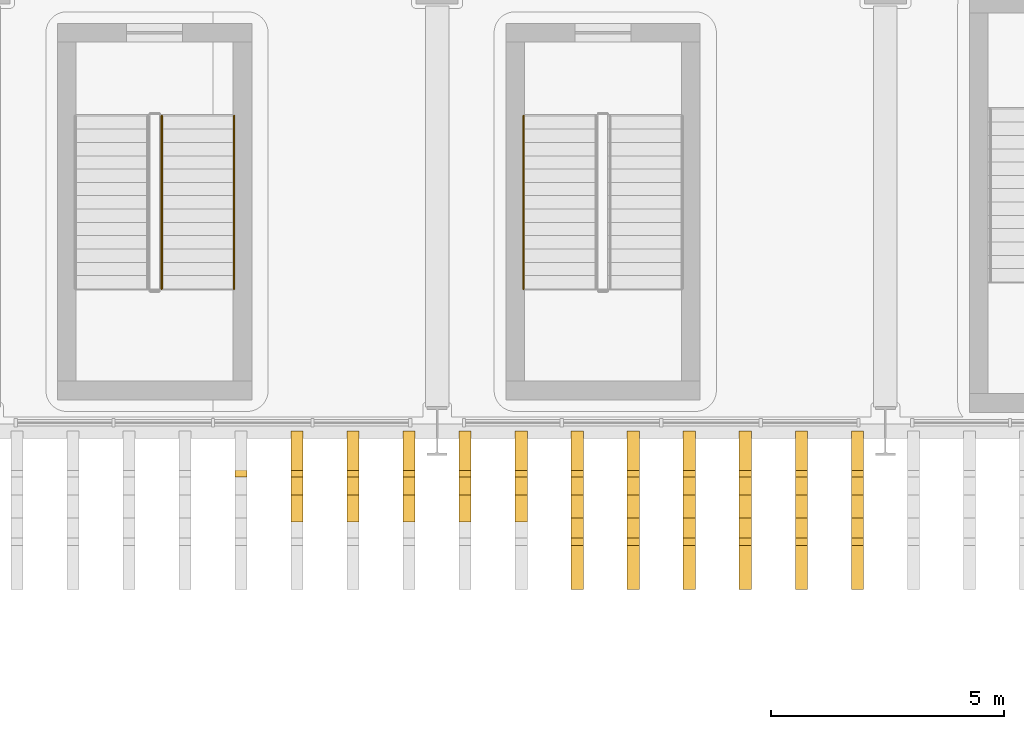
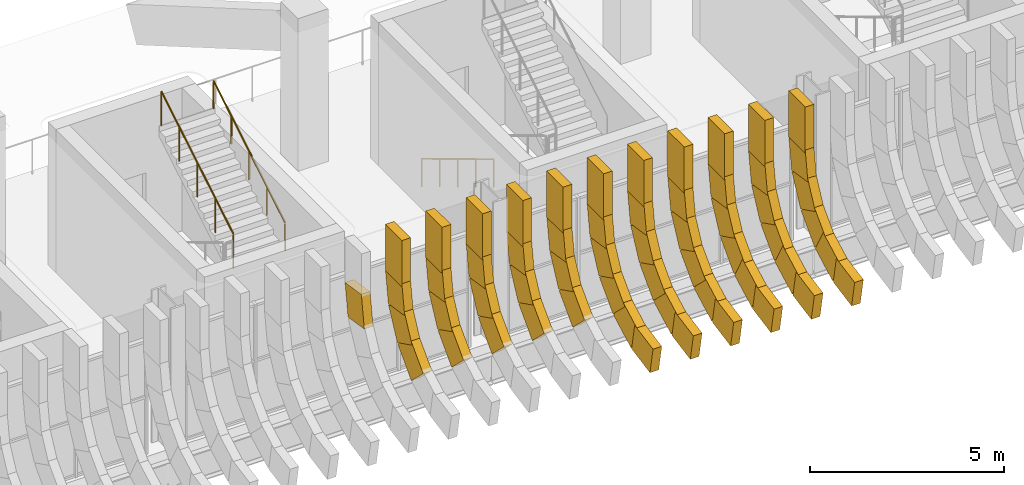
# One storey, part 73 of 100: 57 coverings, 3 railings.
"""IFC4 building model written with IfcOpenShell, lengths in metres."""

from ifc_helpers import new_model, si_unit, direction, frame, origin, origin_2d, place, context, subcontext, project, spatial, rectangle, circle, extrude, material, material_profile, profile_set, type_object, element, save


model = new_model("IFC4")

# Units and contexts
model_context = context("Model", 3, precision=1e-05, world=origin(), true_north=direction((0.0, 1.0)))
body_context = subcontext(model_context, "Body", "Model", "MODEL_VIEW")
ifc_project = project(units=[si_unit("LENGTHUNIT", "METRE"), si_unit("AREAUNIT", "SQUARE_METRE"), si_unit("VOLUMEUNIT", "CUBIC_METRE"), si_unit("PLANEANGLEUNIT", "RADIAN"), si_unit("MASSUNIT", "GRAM", prefix="KILO")], contexts=[model_context])

# Site, building, storey
site_placement = place(None, origin())
site = spatial("IfcSite", under=ifc_project, at=site_placement, CompositionType="ELEMENT")
building_placement = place(site_placement, origin())
building = spatial("IfcBuilding", under=site, at=building_placement, Name="Caelomonte Colonnade Arena", CompositionType="ELEMENT")
storey_placement = place(building_placement, origin())
storey = spatial("IfcBuildingStorey", under=building, at=storey_placement, Name="L00", CompositionType="ELEMENT", Elevation=0.0)

# Coverings
ifc_material_1 = material(Name="Precast travertine cladding", Category="masonry")
ifc_material_profile = material_profile(ifc_material_1, rectangle(XDim=0.260009765625, YDim=0.85009765625, at=origin_2d()), Name="FIN260X850")
ifc_profile_set = profile_set([ifc_material_profile], Name="Precast travertine cladding")
covering_type = type_object("IfcCoveringType", Name="ENV-FN-SKIRT", PredefinedType="CLADDING", material=ifc_profile_set)
covering_1_placement = place(storey_placement, frame((111.0, 18.785888671875, 3.474609375), z_axis=(0.0, -0.153076342973, -0.988214366027), x_axis=(-1.0, 0.0, 0.0)))
element("IfcCovering", 1, at=covering_1_placement, inside=storey, type_object=covering_type, Name="V1 L00 splayed classical fin skirt chord 1 (266)", PredefinedType="CLADDING", context=body_context, shape_type="SweptSolid", body=[
    extrude(rectangle(XDim=0.260009765625, YDim=0.85009765625, at=origin_2d()), origin(), (0.0, 0.0, 1.0), 1.008056640625),
])
covering_2_placement = place(storey_placement, frame((112.199951171875, 18.779052734375, 3.360107421875), z_axis=(0.0, 0.0, 1.0), x_axis=(-1.0, 0.0, 0.0)))
element("IfcCovering", 2, at=covering_2_placement, inside=storey, type_object=covering_type, Name="V1 L00 upper classical fin stem 267", PredefinedType="CLADDING", context=body_context, shape_type="SweptSolid", body=[
    extrude(rectangle(XDim=0.260009765625, YDim=0.85009765625, at=origin_2d()), origin(), (0.0, 0.0, 1.0), 1.4599609375),
])
for number, where, z_axis, x_axis, name in (
    (3, (112.199951171875, 18.785888671875, 3.474609375), (0.0, -0.153076342973, -0.988214366027), (-1.0, 0.0, 0.0), "V1 L00 splayed classical fin skirt chord 1 (267)"),
    (4, (112.199951171875, 18.65869140625, 2.563232421875), (0.0, -0.444692864571, -0.89568312265), (-1.0, 0.0, 0.0), "V1 L00 splayed classical fin skirt chord 2 (267)"),
    (5, (112.199951171875, 18.26171875, 1.733154296875), (0.0, -0.694646381209, -0.71935137803), (-1.0, 0.0, 0.0), "V1 L00 splayed classical fin skirt chord 3 (267)"),
):
    element("IfcCovering", number, at=place(storey_placement, frame(where, z_axis=z_axis, x_axis=x_axis)), inside=storey, type_object=covering_type, Name=name, PredefinedType="CLADDING", context=body_context, shape_type="SweptSolid", body=[
        extrude(rectangle(XDim=0.260009765625, YDim=0.85009765625, at=origin_2d()), origin(), (0.0, 0.0, 1.0), 1.008056640625),
    ])
covering_3_placement = place(storey_placement, frame((113.39990234375, 18.779052734375, 3.360107421875), z_axis=(0.0, 0.0, 1.0), x_axis=(-1.0, 0.0, 0.0)))
element("IfcCovering", 6, at=covering_3_placement, inside=storey, type_object=covering_type, Name="V1 L00 upper classical fin stem 268", PredefinedType="CLADDING", context=body_context, shape_type="SweptSolid", body=[
    extrude(rectangle(XDim=0.260009765625, YDim=0.85009765625, at=origin_2d()), origin(), (0.0, 0.0, 1.0), 1.4599609375),
])
for number, where, z_axis, x_axis, name in (
    (7, (113.39990234375, 18.785888671875, 3.474609375), (0.0, -0.153076342973, -0.988214366027), (-1.0, 0.0, 0.0), "V1 L00 splayed classical fin skirt chord 1 (268)"),
    (8, (113.39990234375, 18.65869140625, 2.563232421875), (0.0, -0.444692864571, -0.89568312265), (-1.0, 0.0, 0.0), "V1 L00 splayed classical fin skirt chord 2 (268)"),
    (9, (113.39990234375, 18.26171875, 1.733154296875), (0.0, -0.694646381209, -0.71935137803), (-1.0, 0.0, 0.0), "V1 L00 splayed classical fin skirt chord 3 (268)"),
):
    element("IfcCovering", number, at=place(storey_placement, frame(where, z_axis=z_axis, x_axis=x_axis)), inside=storey, type_object=covering_type, Name=name, PredefinedType="CLADDING", context=body_context, shape_type="SweptSolid", body=[
        extrude(rectangle(XDim=0.260009765625, YDim=0.85009765625, at=origin_2d()), origin(), (0.0, 0.0, 1.0), 1.008056640625),
    ])
covering_4_placement = place(storey_placement, frame((114.60009765625, 18.779052734375, 3.360107421875), z_axis=(0.0, 0.0, 1.0), x_axis=(-1.0, 0.0, 0.0)))
element("IfcCovering", 10, at=covering_4_placement, inside=storey, type_object=covering_type, Name="V1 L00 upper classical fin stem 269", PredefinedType="CLADDING", context=body_context, shape_type="SweptSolid", body=[
    extrude(rectangle(XDim=0.260009765625, YDim=0.85009765625, at=origin_2d()), origin(), (0.0, 0.0, 1.0), 1.4599609375),
])
for number, where, z_axis, x_axis, name in (
    (11, (114.60009765625, 18.785888671875, 3.474609375), (0.0, -0.153076342973, -0.988214366027), (-1.0, 0.0, 0.0), "V1 L00 splayed classical fin skirt chord 1 (269)"),
    (12, (114.60009765625, 18.65869140625, 2.563232421875), (0.0, -0.444692864571, -0.89568312265), (-1.0, 0.0, 0.0), "V1 L00 splayed classical fin skirt chord 2 (269)"),
    (13, (114.60009765625, 18.26171875, 1.733154296875), (0.0, -0.694646381209, -0.71935137803), (-1.0, 0.0, 0.0), "V1 L00 splayed classical fin skirt chord 3 (269)"),
):
    element("IfcCovering", number, at=place(storey_placement, frame(where, z_axis=z_axis, x_axis=x_axis)), inside=storey, type_object=covering_type, Name=name, PredefinedType="CLADDING", context=body_context, shape_type="SweptSolid", body=[
        extrude(rectangle(XDim=0.260009765625, YDim=0.85009765625, at=origin_2d()), origin(), (0.0, 0.0, 1.0), 1.008056640625),
    ])
covering_5_placement = place(storey_placement, frame((115.800048828125, 18.779052734375, 3.360107421875), z_axis=(0.0, 0.0, 1.0), x_axis=(-1.0, 0.0, 0.0)))
element("IfcCovering", 14, at=covering_5_placement, inside=storey, type_object=covering_type, Name="V1 L00 upper classical fin stem 270", PredefinedType="CLADDING", context=body_context, shape_type="SweptSolid", body=[
    extrude(rectangle(XDim=0.260009765625, YDim=0.85009765625, at=origin_2d()), origin(), (0.0, 0.0, 1.0), 1.4599609375),
])
for number, where, z_axis, x_axis, name in (
    (15, (115.800048828125, 18.785888671875, 3.474609375), (0.0, -0.153076342973, -0.988214366027), (-1.0, 0.0, 0.0), "V1 L00 splayed classical fin skirt chord 1 (270)"),
    (16, (115.800048828125, 18.65869140625, 2.563232421875), (0.0, -0.444692864571, -0.89568312265), (-1.0, 0.0, 0.0), "V1 L00 splayed classical fin skirt chord 2 (270)"),
    (17, (115.800048828125, 18.26171875, 1.733154296875), (0.0, -0.694646381209, -0.71935137803), (-1.0, 0.0, 0.0), "V1 L00 splayed classical fin skirt chord 3 (270)"),
):
    element("IfcCovering", number, at=place(storey_placement, frame(where, z_axis=z_axis, x_axis=x_axis)), inside=storey, type_object=covering_type, Name=name, PredefinedType="CLADDING", context=body_context, shape_type="SweptSolid", body=[
        extrude(rectangle(XDim=0.260009765625, YDim=0.85009765625, at=origin_2d()), origin(), (0.0, 0.0, 1.0), 1.008056640625),
    ])
covering_6_placement = place(storey_placement, frame((117.0, 18.779052734375, 3.360107421875), z_axis=(0.0, 0.0, 1.0), x_axis=(-1.0, 0.0, 0.0)))
element("IfcCovering", 18, at=covering_6_placement, inside=storey, type_object=covering_type, Name="V1 L00 upper classical fin stem 271", PredefinedType="CLADDING", context=body_context, shape_type="SweptSolid", body=[
    extrude(rectangle(XDim=0.260009765625, YDim=0.85009765625, at=origin_2d()), origin(), (0.0, 0.0, 1.0), 1.4599609375),
])
for number, where, z_axis, x_axis, name in (
    (19, (117.0, 18.785888671875, 3.474609375), (0.0, -0.153076342973, -0.988214366027), (-1.0, 0.0, 0.0), "V1 L00 splayed classical fin skirt chord 1 (271)"),
    (20, (117.0, 18.65869140625, 2.563232421875), (0.0, -0.444692864571, -0.89568312265), (-1.0, 0.0, 0.0), "V1 L00 splayed classical fin skirt chord 2 (271)"),
    (21, (117.0, 18.26171875, 1.733154296875), (0.0, -0.694646381209, -0.71935137803), (-1.0, 0.0, 0.0), "V1 L00 splayed classical fin skirt chord 3 (271)"),
):
    element("IfcCovering", number, at=place(storey_placement, frame(where, z_axis=z_axis, x_axis=x_axis)), inside=storey, type_object=covering_type, Name=name, PredefinedType="CLADDING", context=body_context, shape_type="SweptSolid", body=[
        extrude(rectangle(XDim=0.260009765625, YDim=0.85009765625, at=origin_2d()), origin(), (0.0, 0.0, 1.0), 1.008056640625),
    ])
covering_7_placement = place(storey_placement, frame((118.199951171875, 18.779052734375, 3.360107421875), z_axis=(0.0, 0.0, 1.0), x_axis=(-1.0, 0.0, 0.0)))
element("IfcCovering", 22, at=covering_7_placement, inside=storey, type_object=covering_type, Name="V1 L00 upper classical fin stem 272", PredefinedType="CLADDING", context=body_context, shape_type="SweptSolid", body=[
    extrude(rectangle(XDim=0.260009765625, YDim=0.85009765625, at=origin_2d()), origin(), (0.0, 0.0, 1.0), 1.4599609375),
])
for number, where, z_axis, x_axis, name in (
    (23, (118.199951171875, 18.785888671875, 3.474609375), (0.0, -0.153076342973, -0.988214366027), (-1.0, 0.0, 0.0), "V1 L00 splayed classical fin skirt chord 1 (272)"),
    (24, (118.199951171875, 18.65869140625, 2.563232421875), (0.0, -0.444692864571, -0.89568312265), (-1.0, 0.0, 0.0), "V1 L00 splayed classical fin skirt chord 2 (272)"),
    (25, (118.199951171875, 18.26171875, 1.733154296875), (0.0, -0.694646381209, -0.71935137803), (-1.0, 0.0, 0.0), "V1 L00 splayed classical fin skirt chord 3 (272)"),
):
    element("IfcCovering", number, at=place(storey_placement, frame(where, z_axis=z_axis, x_axis=x_axis)), inside=storey, type_object=covering_type, Name=name, PredefinedType="CLADDING", context=body_context, shape_type="SweptSolid", body=[
        extrude(rectangle(XDim=0.260009765625, YDim=0.85009765625, at=origin_2d()), origin(), (0.0, 0.0, 1.0), 1.008056640625),
    ])
covering_8_placement = place(storey_placement, frame((118.199951171875, 17.63232421875, 1.061767578125), z_axis=(0.0, -0.879676382338, -0.475572772935), x_axis=(-1.0, 0.0, 0.0)))
element("IfcCovering", 26, at=covering_8_placement, inside=storey, type_object=covering_type, Name="V1 L00 splayed classical fin skirt chord 4 (272)", PredefinedType="CLADDING", context=body_context, shape_type="SweptSolid", body=[
    extrude(rectangle(XDim=0.260009765625, YDim=0.85009765625, at=origin_2d()), origin(), (0.0, 0.0, 1.0), 1.0078125),
])
covering_9_placement = place(storey_placement, frame((118.199951171875, 16.82958984375, 0.6123046875), z_axis=(0.0, -0.982287485173, -0.187380085582), x_axis=(-1.0, 0.0, 0.0)))
element("IfcCovering", 27, at=covering_9_placement, inside=storey, type_object=covering_type, Name="V1 L00 splayed classical fin skirt chord 5 (272)", PredefinedType="CLADDING", context=body_context, shape_type="SweptSolid", body=[
    extrude(rectangle(XDim=0.260009765625, YDim=0.85009765625, at=origin_2d()), origin(), (0.0, 0.0, 1.0), 0.962890625),
])
covering_10_placement = place(storey_placement, frame((119.39990234375, 18.779052734375, 3.360107421875), z_axis=(0.0, 0.0, 1.0), x_axis=(-1.0, 0.0, 0.0)))
element("IfcCovering", 28, at=covering_10_placement, inside=storey, type_object=covering_type, Name="V1 L00 upper classical fin stem 273", PredefinedType="CLADDING", context=body_context, shape_type="SweptSolid", body=[
    extrude(rectangle(XDim=0.260009765625, YDim=0.85009765625, at=origin_2d()), origin(), (0.0, 0.0, 1.0), 1.4599609375),
])
for number, where, z_axis, x_axis, name in (
    (29, (119.39990234375, 18.785888671875, 3.474609375), (0.0, -0.153076342973, -0.988214366027), (-1.0, 0.0, 0.0), "V1 L00 splayed classical fin skirt chord 1 (273)"),
    (30, (119.39990234375, 18.65869140625, 2.563232421875), (0.0, -0.444692864571, -0.89568312265), (-1.0, 0.0, 0.0), "V1 L00 splayed classical fin skirt chord 2 (273)"),
    (31, (119.39990234375, 18.26171875, 1.733154296875), (0.0, -0.694646381209, -0.71935137803), (-1.0, 0.0, 0.0), "V1 L00 splayed classical fin skirt chord 3 (273)"),
):
    element("IfcCovering", number, at=place(storey_placement, frame(where, z_axis=z_axis, x_axis=x_axis)), inside=storey, type_object=covering_type, Name=name, PredefinedType="CLADDING", context=body_context, shape_type="SweptSolid", body=[
        extrude(rectangle(XDim=0.260009765625, YDim=0.85009765625, at=origin_2d()), origin(), (0.0, 0.0, 1.0), 1.008056640625),
    ])
covering_11_placement = place(storey_placement, frame((119.39990234375, 17.63232421875, 1.061767578125), z_axis=(0.0, -0.879676382338, -0.475572772935), x_axis=(-1.0, 0.0, 0.0)))
element("IfcCovering", 32, at=covering_11_placement, inside=storey, type_object=covering_type, Name="V1 L00 splayed classical fin skirt chord 4 (273)", PredefinedType="CLADDING", context=body_context, shape_type="SweptSolid", body=[
    extrude(rectangle(XDim=0.260009765625, YDim=0.85009765625, at=origin_2d()), origin(), (0.0, 0.0, 1.0), 1.0078125),
])
covering_12_placement = place(storey_placement, frame((119.39990234375, 16.82958984375, 0.6123046875), z_axis=(0.0, -0.982287485173, -0.187380085582), x_axis=(-1.0, 0.0, 0.0)))
element("IfcCovering", 33, at=covering_12_placement, inside=storey, type_object=covering_type, Name="V1 L00 splayed classical fin skirt chord 5 (273)", PredefinedType="CLADDING", context=body_context, shape_type="SweptSolid", body=[
    extrude(rectangle(XDim=0.260009765625, YDim=0.85009765625, at=origin_2d()), origin(), (0.0, 0.0, 1.0), 0.962890625),
])
covering_13_placement = place(storey_placement, frame((120.60009765625, 18.779052734375, 3.360107421875), z_axis=(0.0, 0.0, 1.0), x_axis=(-1.0, 0.0, 0.0)))
element("IfcCovering", 34, at=covering_13_placement, inside=storey, type_object=covering_type, Name="V1 L00 upper classical fin stem 274", PredefinedType="CLADDING", context=body_context, shape_type="SweptSolid", body=[
    extrude(rectangle(XDim=0.260009765625, YDim=0.85009765625, at=origin_2d()), origin(), (0.0, 0.0, 1.0), 1.4599609375),
])
for number, where, z_axis, x_axis, name in (
    (35, (120.60009765625, 18.785888671875, 3.474609375), (0.0, -0.153076342973, -0.988214366027), (-1.0, 0.0, 0.0), "V1 L00 splayed classical fin skirt chord 1 (274)"),
    (36, (120.60009765625, 18.65869140625, 2.563232421875), (0.0, -0.444692864571, -0.89568312265), (-1.0, 0.0, 0.0), "V1 L00 splayed classical fin skirt chord 2 (274)"),
    (37, (120.60009765625, 18.26171875, 1.733154296875), (0.0, -0.694646381209, -0.71935137803), (-1.0, 0.0, 0.0), "V1 L00 splayed classical fin skirt chord 3 (274)"),
):
    element("IfcCovering", number, at=place(storey_placement, frame(where, z_axis=z_axis, x_axis=x_axis)), inside=storey, type_object=covering_type, Name=name, PredefinedType="CLADDING", context=body_context, shape_type="SweptSolid", body=[
        extrude(rectangle(XDim=0.260009765625, YDim=0.85009765625, at=origin_2d()), origin(), (0.0, 0.0, 1.0), 1.008056640625),
    ])
covering_14_placement = place(storey_placement, frame((120.60009765625, 17.63232421875, 1.061767578125), z_axis=(0.0, -0.879676382338, -0.475572772935), x_axis=(-1.0, 0.0, 0.0)))
element("IfcCovering", 38, at=covering_14_placement, inside=storey, type_object=covering_type, Name="V1 L00 splayed classical fin skirt chord 4 (274)", PredefinedType="CLADDING", context=body_context, shape_type="SweptSolid", body=[
    extrude(rectangle(XDim=0.260009765625, YDim=0.85009765625, at=origin_2d()), origin(), (0.0, 0.0, 1.0), 1.0078125),
])
covering_15_placement = place(storey_placement, frame((120.60009765625, 16.82958984375, 0.6123046875), z_axis=(0.0, -0.982287485173, -0.187380085582), x_axis=(-1.0, 0.0, 0.0)))
element("IfcCovering", 39, at=covering_15_placement, inside=storey, type_object=covering_type, Name="V1 L00 splayed classical fin skirt chord 5 (274)", PredefinedType="CLADDING", context=body_context, shape_type="SweptSolid", body=[
    extrude(rectangle(XDim=0.260009765625, YDim=0.85009765625, at=origin_2d()), origin(), (0.0, 0.0, 1.0), 0.962890625),
])
covering_16_placement = place(storey_placement, frame((121.800048828125, 18.779052734375, 3.360107421875), z_axis=(0.0, 0.0, 1.0), x_axis=(-1.0, 0.0, 0.0)))
element("IfcCovering", 40, at=covering_16_placement, inside=storey, type_object=covering_type, Name="V1 L00 upper classical fin stem 275", PredefinedType="CLADDING", context=body_context, shape_type="SweptSolid", body=[
    extrude(rectangle(XDim=0.260009765625, YDim=0.85009765625, at=origin_2d()), origin(), (0.0, 0.0, 1.0), 1.4599609375),
])
for number, where, z_axis, x_axis, name in (
    (41, (121.800048828125, 18.785888671875, 3.474609375), (0.0, -0.153076342973, -0.988214366027), (-1.0, 0.0, 0.0), "V1 L00 splayed classical fin skirt chord 1 (275)"),
    (42, (121.800048828125, 18.65869140625, 2.563232421875), (0.0, -0.444692864571, -0.89568312265), (-1.0, 0.0, 0.0), "V1 L00 splayed classical fin skirt chord 2 (275)"),
    (43, (121.800048828125, 18.26171875, 1.733154296875), (0.0, -0.694646381209, -0.71935137803), (-1.0, 0.0, 0.0), "V1 L00 splayed classical fin skirt chord 3 (275)"),
):
    element("IfcCovering", number, at=place(storey_placement, frame(where, z_axis=z_axis, x_axis=x_axis)), inside=storey, type_object=covering_type, Name=name, PredefinedType="CLADDING", context=body_context, shape_type="SweptSolid", body=[
        extrude(rectangle(XDim=0.260009765625, YDim=0.85009765625, at=origin_2d()), origin(), (0.0, 0.0, 1.0), 1.008056640625),
    ])
covering_17_placement = place(storey_placement, frame((121.800048828125, 17.63232421875, 1.061767578125), z_axis=(0.0, -0.879676382338, -0.475572772935), x_axis=(-1.0, 0.0, 0.0)))
element("IfcCovering", 44, at=covering_17_placement, inside=storey, type_object=covering_type, Name="V1 L00 splayed classical fin skirt chord 4 (275)", PredefinedType="CLADDING", context=body_context, shape_type="SweptSolid", body=[
    extrude(rectangle(XDim=0.260009765625, YDim=0.85009765625, at=origin_2d()), origin(), (0.0, 0.0, 1.0), 1.0078125),
])
covering_18_placement = place(storey_placement, frame((121.800048828125, 16.82958984375, 0.6123046875), z_axis=(0.0, -0.982287485173, -0.187380085582), x_axis=(-1.0, 0.0, 0.0)))
element("IfcCovering", 45, at=covering_18_placement, inside=storey, type_object=covering_type, Name="V1 L00 splayed classical fin skirt chord 5 (275)", PredefinedType="CLADDING", context=body_context, shape_type="SweptSolid", body=[
    extrude(rectangle(XDim=0.260009765625, YDim=0.85009765625, at=origin_2d()), origin(), (0.0, 0.0, 1.0), 0.962890625),
])
covering_19_placement = place(storey_placement, frame((123.0, 18.779052734375, 3.360107421875), z_axis=(0.0, 0.0, 1.0), x_axis=(-1.0, 0.0, 0.0)))
element("IfcCovering", 46, at=covering_19_placement, inside=storey, type_object=covering_type, Name="V1 L00 upper classical fin stem 276", PredefinedType="CLADDING", context=body_context, shape_type="SweptSolid", body=[
    extrude(rectangle(XDim=0.260009765625, YDim=0.85009765625, at=origin_2d()), origin(), (0.0, 0.0, 1.0), 1.4599609375),
])
for number, where, z_axis, x_axis, name in (
    (47, (123.0, 18.785888671875, 3.474609375), (0.0, -0.153076342973, -0.988214366027), (-1.0, 0.0, 0.0), "V1 L00 splayed classical fin skirt chord 1 (276)"),
    (48, (123.0, 18.65869140625, 2.563232421875), (0.0, -0.444692864571, -0.89568312265), (-1.0, 0.0, 0.0), "V1 L00 splayed classical fin skirt chord 2 (276)"),
    (49, (123.0, 18.26171875, 1.733154296875), (0.0, -0.694646381209, -0.71935137803), (-1.0, 0.0, 0.0), "V1 L00 splayed classical fin skirt chord 3 (276)"),
):
    element("IfcCovering", number, at=place(storey_placement, frame(where, z_axis=z_axis, x_axis=x_axis)), inside=storey, type_object=covering_type, Name=name, PredefinedType="CLADDING", context=body_context, shape_type="SweptSolid", body=[
        extrude(rectangle(XDim=0.260009765625, YDim=0.85009765625, at=origin_2d()), origin(), (0.0, 0.0, 1.0), 1.008056640625),
    ])
covering_20_placement = place(storey_placement, frame((123.0, 17.63232421875, 1.061767578125), z_axis=(0.0, -0.879676382338, -0.475572772935), x_axis=(-1.0, 0.0, 0.0)))
element("IfcCovering", 50, at=covering_20_placement, inside=storey, type_object=covering_type, Name="V1 L00 splayed classical fin skirt chord 4 (276)", PredefinedType="CLADDING", context=body_context, shape_type="SweptSolid", body=[
    extrude(rectangle(XDim=0.260009765625, YDim=0.85009765625, at=origin_2d()), origin(), (0.0, 0.0, 1.0), 1.0078125),
])
covering_21_placement = place(storey_placement, frame((123.0, 16.82958984375, 0.6123046875), z_axis=(0.0, -0.982287485173, -0.187380085582), x_axis=(-1.0, 0.0, 0.0)))
element("IfcCovering", 51, at=covering_21_placement, inside=storey, type_object=covering_type, Name="V1 L00 splayed classical fin skirt chord 5 (276)", PredefinedType="CLADDING", context=body_context, shape_type="SweptSolid", body=[
    extrude(rectangle(XDim=0.260009765625, YDim=0.85009765625, at=origin_2d()), origin(), (0.0, 0.0, 1.0), 0.962890625),
])
covering_22_placement = place(storey_placement, frame((124.199951171875, 18.779052734375, 3.360107421875), z_axis=(0.0, 0.0, 1.0), x_axis=(-1.0, 0.0, 0.0)))
element("IfcCovering", 52, at=covering_22_placement, inside=storey, type_object=covering_type, Name="V1 L00 upper classical fin stem 277", PredefinedType="CLADDING", context=body_context, shape_type="SweptSolid", body=[
    extrude(rectangle(XDim=0.260009765625, YDim=0.85009765625, at=origin_2d()), origin(), (0.0, 0.0, 1.0), 1.4599609375),
])
for number, where, z_axis, x_axis, name in (
    (53, (124.199951171875, 18.785888671875, 3.474609375), (0.0, -0.153076342973, -0.988214366027), (-1.0, 0.0, 0.0), "V1 L00 splayed classical fin skirt chord 1 (277)"),
    (54, (124.199951171875, 18.65869140625, 2.563232421875), (0.0, -0.444692864571, -0.89568312265), (-1.0, 0.0, 0.0), "V1 L00 splayed classical fin skirt chord 2 (277)"),
    (55, (124.199951171875, 18.26171875, 1.733154296875), (0.0, -0.694646381209, -0.71935137803), (-1.0, 0.0, 0.0), "V1 L00 splayed classical fin skirt chord 3 (277)"),
):
    element("IfcCovering", number, at=place(storey_placement, frame(where, z_axis=z_axis, x_axis=x_axis)), inside=storey, type_object=covering_type, Name=name, PredefinedType="CLADDING", context=body_context, shape_type="SweptSolid", body=[
        extrude(rectangle(XDim=0.260009765625, YDim=0.85009765625, at=origin_2d()), origin(), (0.0, 0.0, 1.0), 1.008056640625),
    ])
covering_23_placement = place(storey_placement, frame((124.199951171875, 17.63232421875, 1.061767578125), z_axis=(0.0, -0.879676382338, -0.475572772935), x_axis=(-1.0, 0.0, 0.0)))
element("IfcCovering", 56, at=covering_23_placement, inside=storey, type_object=covering_type, Name="V1 L00 splayed classical fin skirt chord 4 (277)", PredefinedType="CLADDING", context=body_context, shape_type="SweptSolid", body=[
    extrude(rectangle(XDim=0.260009765625, YDim=0.85009765625, at=origin_2d()), origin(), (0.0, 0.0, 1.0), 1.0078125),
])
covering_24_placement = place(storey_placement, frame((124.199951171875, 16.82958984375, 0.6123046875), z_axis=(0.0, -0.982287485173, -0.187380085582), x_axis=(-1.0, 0.0, 0.0)))
element("IfcCovering", 57, at=covering_24_placement, inside=storey, type_object=covering_type, Name="V1 L00 splayed classical fin skirt chord 5 (277)", PredefinedType="CLADDING", context=body_context, shape_type="SweptSolid", body=[
    extrude(rectangle(XDim=0.260009765625, YDim=0.85009765625, at=origin_2d()), origin(), (0.0, 0.0, 1.0), 0.962890625),
])

# Railings
ifc_material_2 = material(Name="Painted galvanized steel stair guard", Category="steel")
railing_type_1 = type_object("IfcRailingType", Name="INT-RL-GRD", PredefinedType="GUARDRAIL", material=ifc_material_2)
railing_1_placement = place(storey_placement, frame((109.300048828125, 22.2451171875, 2.571533203125)))
element("IfcRailing", 58, at=railing_1_placement, inside=storey, type_object=railing_type_1, Name="L00 ST-V02 stair guard 3", PredefinedType="GUARDRAIL", context=body_context, shape_type="SweptSolid", body=[
    extrude(circle(Radius=0.02392578125, at=origin_2d()), frame((0.0, 0.0, 1.076171875), z_axis=(0.0, 0.856919398105, 0.515450429384), x_axis=(-1.0, 0.0, 0.0)), (0.0, 0.0, 1.0), 4.323486328125),
    extrude(circle(Radius=0.02099609375, at=origin_2d()), origin(), (0.0, 0.0, 1.0), 1.048095703125),
    extrude(circle(Radius=0.02099609375, at=origin_2d()), frame((0.0, 0.92626953125, 0.55712890625)), (0.0, 0.0, 1.0), 1.048095703125),
    extrude(circle(Radius=0.02099609375, at=origin_2d()), frame((0.0, 1.8525390625, 1.1142578125)), (0.0, 0.0, 1.0), 1.048095703125),
    extrude(circle(Radius=0.02099609375, at=origin_2d()), frame((0.0, 2.778564453125, 1.67138671875)), (0.0, 0.0, 1.0), 1.048095703125),
    extrude(circle(Radius=0.02099609375, at=origin_2d()), frame((0.0, 3.704833984375, 2.228515625)), (0.0, 0.0, 1.0), 1.048095703125),
])
ifc_material_3 = material(Name="Brushed stainless steel stair handrail", Category="steel")
railing_type_2 = type_object("IfcRailingType", Name="INT-RL-HR", PredefinedType="HANDRAIL", material=ifc_material_3)
railing_2_placement = place(storey_placement, frame((110.85009765625, 22.2451171875, 2.571533203125)))
element("IfcRailing", 59, at=railing_2_placement, inside=storey, type_object=railing_type_2, Name="L00 ST-V02 stair handrail 2", PredefinedType="HANDRAIL", context=body_context, shape_type="SweptSolid", body=[
    extrude(circle(Radius=0.02392578125, at=origin_2d()), frame((0.0, 0.0, 0.8759765625), z_axis=(0.0, 0.856919398105, 0.515450429384), x_axis=(-1.0, 0.0, 0.0)), (0.0, 0.0, 1.0), 4.323486328125),
    extrude(circle(Radius=0.02099609375, at=origin_2d()), origin(), (0.0, 0.0, 1.0), 0.847900390625),
    extrude(circle(Radius=0.02099609375, at=origin_2d()), frame((0.0, 0.92626953125, 0.55712890625)), (0.0, 0.0, 1.0), 0.847900390625),
    extrude(circle(Radius=0.02099609375, at=origin_2d()), frame((0.0, 1.8525390625, 1.1142578125)), (0.0, 0.0, 1.0), 0.847900390625),
    extrude(circle(Radius=0.02099609375, at=origin_2d()), frame((0.0, 2.778564453125, 1.67138671875)), (0.0, 0.0, 1.0), 0.847900390625),
    extrude(circle(Radius=0.02099609375, at=origin_2d()), frame((0.0, 3.704833984375, 2.228515625)), (0.0, 0.0, 1.0), 0.847900390625),
])
railing_3_placement = place(storey_placement, frame((117.050048828125, 25.949951171875, 0.17138671875)))
element("IfcRailing", 60, at=railing_3_placement, inside=storey, type_object=railing_type_2, Name="L00 ST-V03 stair handrail 1", PredefinedType="HANDRAIL", context=body_context, shape_type="SweptSolid", body=[
    extrude(circle(Radius=0.02392578125, at=origin_2d()), frame((0.0, 0.0, 0.8759765625), z_axis=(0.0, -0.856919398105, 0.515450429384), x_axis=(1.0, 0.0, 0.0)), (0.0, 0.0, 1.0), 4.323486328125),
    extrude(circle(Radius=0.02099609375, at=origin_2d()), origin(), (0.0, 0.0, 1.0), 0.847900390625),
    extrude(circle(Radius=0.02099609375, at=origin_2d()), frame((0.0, -0.92626953125, 0.55712890625)), (0.0, 0.0, 1.0), 0.847900390625),
    extrude(circle(Radius=0.02099609375, at=origin_2d()), frame((0.0, -1.8525390625, 1.1142578125)), (0.0, 0.0, 1.0), 0.847900390625),
    extrude(circle(Radius=0.02099609375, at=origin_2d()), frame((0.0, -2.778564453125, 1.67138671875)), (0.0, 0.0, 1.0), 0.847900390625),
    extrude(circle(Radius=0.02099609375, at=origin_2d()), frame((0.0, -3.704833984375, 2.228515625)), (0.0, 0.0, 1.0), 0.847900390625),
])

save(model, "model.ifc")
